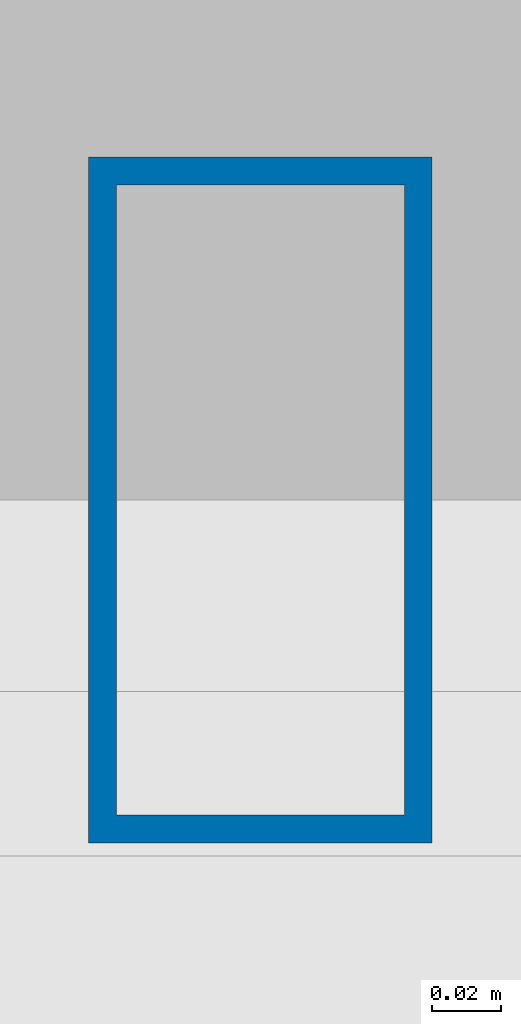
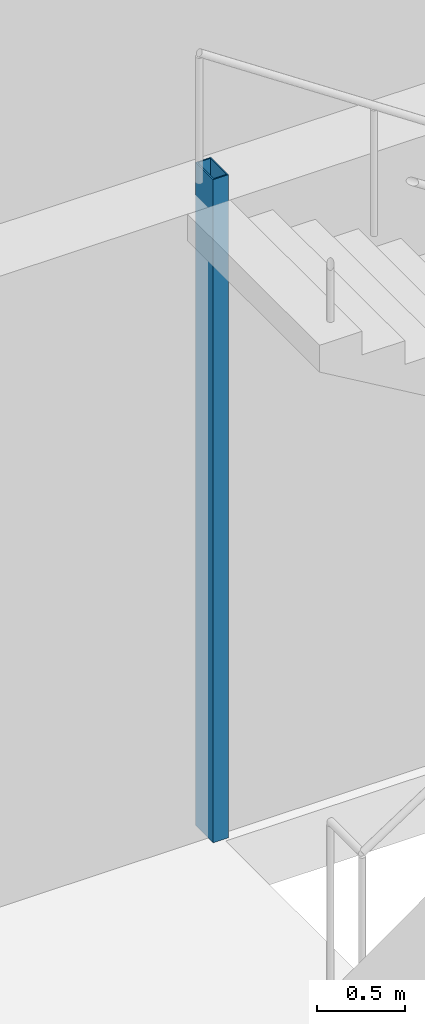
# One storey, part 2 of 17: 1 column.
"""IFC4 building model written with IfcOpenShell, lengths in metres."""

from ifc_helpers import new_model, si_unit, direction, frame, origin, origin_2d, place, context, subcontext, project, spatial, hollow_rectangle, extrude, material, material_profile, profile_set, type_object, element, save


model = new_model("IFC4")

# Units and contexts
model_context = context("Model", 3, precision=1e-05, world=origin(), true_north=direction((0.0, 1.0)))
body_context = subcontext(model_context, "Body", "Model", "MODEL_VIEW")
ifc_project = project(units=[si_unit("LENGTHUNIT", "METRE"), si_unit("AREAUNIT", "SQUARE_METRE"), si_unit("VOLUMEUNIT", "CUBIC_METRE"), si_unit("PLANEANGLEUNIT", "RADIAN"), si_unit("MASSUNIT", "GRAM", prefix="KILO")], contexts=[model_context])

# Site, building, storey
site_placement = place(None, origin())
site = spatial("IfcSite", under=ifc_project, at=site_placement, CompositionType="ELEMENT")
building_placement = place(site_placement, origin())
building = spatial("IfcBuilding", under=site, at=building_placement, Name="Menara Jurai Vektor", CompositionType="ELEMENT")
storey_placement = place(building_placement, frame((0.0, 0.0, 9.60009765625)))
storey = spatial("IfcBuildingStorey", under=building, at=storey_placement, Name="L01", CompositionType="ELEMENT", Elevation=9.60009765625)

# Column
ifc_material = material(Name="Steel S355", Category="steel")
ifc_material_profile = material_profile(ifc_material, hollow_rectangle(XDim=0.10009765625, YDim=0.199951171875, WallThickness=0.008056640625, at=origin_2d()), Name="RHS 200x100x8")
ifc_profile_set = profile_set([ifc_material_profile], Name="Steel S355")
column_type = type_object("IfcColumnType", Name="STR-COL-STAIR", PredefinedType="COLUMN", material=ifc_profile_set)
column_placement = place(storey_placement, frame((-11.1201171875, 5.419921875, 0.0), z_axis=(0.0, 0.0, 1.0), x_axis=(1.0, 0.0, 0.0)))
element("IfcColumn", 1, at=column_placement, inside=storey, type_object=column_type, Name="Stair Well Header Column ST1-P2 L01", PredefinedType="COLUMN", context=body_context, shape_type="SweptSolid", body=[
    extrude(hollow_rectangle(XDim=0.10009765625, YDim=0.199951171875, WallThickness=0.008056640625, at=origin_2d()), origin(), (0.0, 0.0, 1.0), 4.599853515625),
])

save(model, "model.ifc")
